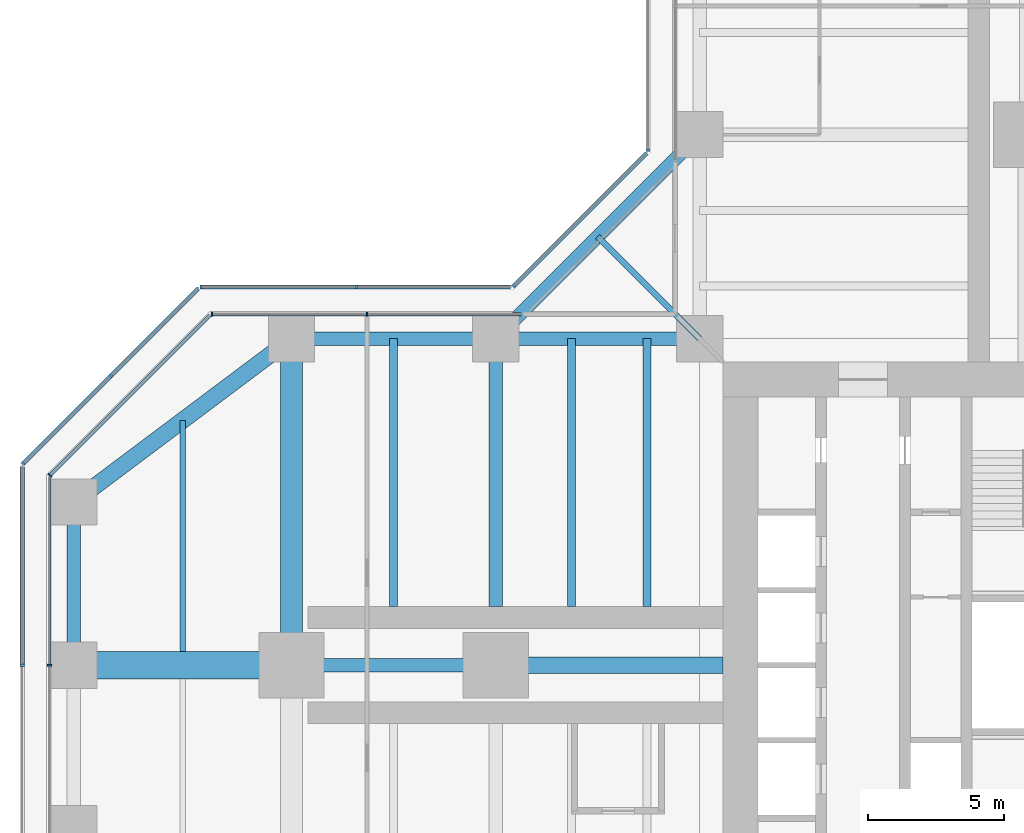
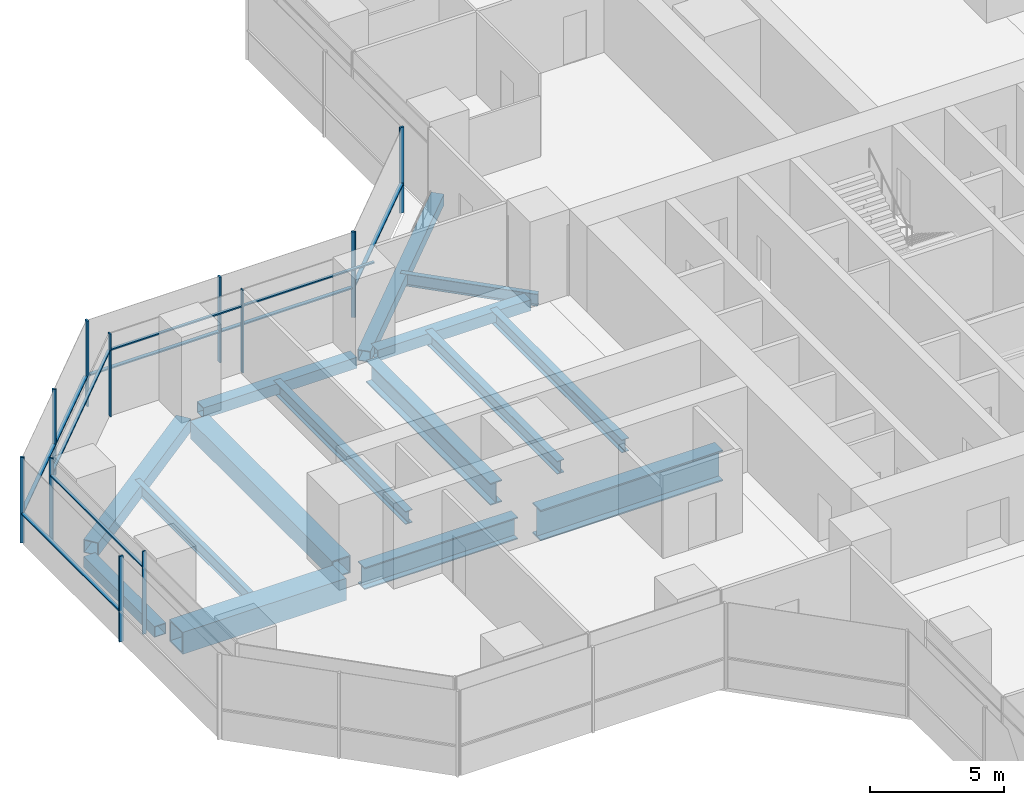
# One storey, part 8 of 22: 21 members, 15 beams, 8 elements without a shape of their own.
"""IFC4 building model written with IfcOpenShell, lengths in metres."""

from ifc_helpers import new_model, si_unit, direction, frame, origin, origin_2d, place, context, subcontext, project, spatial, rectangle, hollow_rectangle, i_section, extrude, material, material_profile, profile_set, type_object, element, aggregate, save


model = new_model("IFC4")

# Units and contexts
model_context = context("Model", 3, precision=1e-05, world=origin(), true_north=direction((0.0, 1.0)))
body_context = subcontext(model_context, "Body", "Model", "MODEL_VIEW")
ifc_project = project(units=[si_unit("LENGTHUNIT", "METRE"), si_unit("AREAUNIT", "SQUARE_METRE"), si_unit("VOLUMEUNIT", "CUBIC_METRE"), si_unit("PLANEANGLEUNIT", "RADIAN"), si_unit("MASSUNIT", "GRAM", prefix="KILO")], contexts=[model_context])

# Site, building, storey
site_placement = place(None, origin())
site = spatial("IfcSite", under=ifc_project, at=site_placement, CompositionType="ELEMENT")
building_placement = place(site_placement, origin())
building = spatial("IfcBuilding", under=site, at=building_placement, Name="Mizan Broadcast Tower", CompositionType="ELEMENT")
storey_placement = place(building_placement, frame((0.0, 0.0, 105.89990234375)))
storey = spatial("IfcBuildingStorey", under=building, at=storey_placement, Name="L23", CompositionType="ELEMENT", Elevation=105.89990234375)

# Beams
ifc_material_1 = material(Name="Steel S355", Category="steel")
ifc_material_profile_1 = material_profile(ifc_material_1, hollow_rectangle(XDim=0.5, YDim=0.5, WallThickness=0.030029296875, at=origin_2d()), Name="BOX 500x500x30")
ifc_profile_set_1 = profile_set([ifc_material_profile_1], Name="Steel S355")
beam_type_1 = type_object("IfcBeamType", Name="EDGE BEAM BOX 500x500x30", PredefinedType="SPANDREL", material=ifc_profile_set_1)
for number, where, z_axis, x_axis, name in (
    (1, (-12.449951171875, 12.0, -0.3798828125), (-1.0, 0.0, 0.0), (0.0, -1.0, 0.0), "Edge beam BOX 500x500x30 L23 west arm"),
    (2, (-19.949951171875, 12.0, -0.3798828125), (-1.0, 0.0, 0.0), (0.0, -1.0, 0.0), "Edge beam BOX 500x500x30 L23 west arm"),
):
    element("IfcBeam", number, at=place(storey_placement, frame(where, z_axis=z_axis, x_axis=x_axis)), inside=storey, type_object=beam_type_1, Name=name, PredefinedType="SPANDREL", context=body_context, shape_type="SweptSolid", body=[
        extrude(hollow_rectangle(XDim=0.5, YDim=0.5, WallThickness=0.030029296875, at=origin_2d()), origin(), (0.0, 0.0, 1.0), 6.60009765625),
    ])
beam_1_placement = place(storey_placement, frame((-35.0, 5.639892578125, -0.3798828125), z_axis=(0.0, -1.0, 0.0), x_axis=(1.0, 0.0, 0.0)))
element("IfcBeam", 3, at=beam_1_placement, inside=storey, type_object=beam_type_1, Name="Edge beam BOX 500x500x30 L23 west arm", PredefinedType="SPANDREL", context=body_context, shape_type="SweptSolid", body=[
    extrude(hollow_rectangle(XDim=0.5, YDim=0.5, WallThickness=0.030029296875, at=origin_2d()), origin(), (0.0, 0.0, 1.0), 5.27978515625),
])
beam_2_placement = place(storey_placement, frame((-12.0, 19.5, -0.3798828125), z_axis=(-0.707106781187, -0.707106781187, 0.0), x_axis=(0.707106781187, -0.707106781187, 0.0)))
element("IfcBeam", 4, at=beam_2_placement, inside=storey, type_object=beam_type_1, Name="Winter garden edge beam L23 N", PredefinedType="SPANDREL", context=body_context, shape_type="SweptSolid", body=[
    extrude(hollow_rectangle(XDim=0.5, YDim=0.5, WallThickness=0.030029296875, at=origin_2d()), origin(), (0.0, 0.0, 1.0), 10.606689453125),
])
ifc_material_2 = material(Name="Steel S355", Category="steel")
ifc_material_profile_2 = material_profile(ifc_material_2, hollow_rectangle(XDim=0.60009765625, YDim=0.60009765625, WallThickness=0.030029296875, at=origin_2d()), Name="BOX 600x600x30")
ifc_profile_set_2 = profile_set([ifc_material_profile_2], Name="Steel S355")
beam_type_2 = type_object("IfcBeamType", Name="EDGE BEAM BOX 600x600x30", PredefinedType="SPANDREL", material=ifc_profile_set_2)
beam_3_placement = place(storey_placement, frame((-27.47998046875, 11.639892578125, -0.429931640625), z_axis=(-0.800013316712, -0.599982243973, 0.0), x_axis=(0.599982243973, -0.800013316712, 0.0)))
element("IfcBeam", 5, at=beam_3_placement, inside=storey, type_object=beam_type_2, Name="Edge beam BOX 600x600x30 L23 west arm", PredefinedType="SPANDREL", context=body_context, shape_type="SweptSolid", body=[
    extrude(hollow_rectangle(XDim=0.60009765625, YDim=0.60009765625, WallThickness=0.030029296875, at=origin_2d()), origin(), (0.0, 0.0, 1.0), 8.7998046875),
])
ifc_material_3 = material(Name="Steel S460", Category="steel")
ifc_material_profile_3 = material_profile(ifc_material_3, hollow_rectangle(XDim=1.0, YDim=1.0, WallThickness=0.06005859375, at=origin_2d()), Name="BOX 1000x1000x60")
ifc_profile_set_3 = profile_set([ifc_material_profile_3], Name="Steel S460")
beam_type_3 = type_object("IfcBeamType", Name="GIRDER BOX 1000x1000x60", PredefinedType="BEAM", material=ifc_profile_set_3)
beam_4_placement = place(storey_placement, frame((-27.47998046875, 0.0, -0.6298828125), z_axis=(-1.0, 0.0, 0.0), x_axis=(0.0, -1.0, 0.0)))
element("IfcBeam", 6, at=beam_4_placement, inside=storey, type_object=beam_type_3, Name="Girder BOX 1000x1000x60 L23 west arm", PredefinedType="BEAM", context=body_context, shape_type="SweptSolid", body=[
    extrude(hollow_rectangle(XDim=1.0, YDim=1.0, WallThickness=0.06005859375, at=origin_2d()), origin(), (0.0, 0.0, 1.0), 7.0400390625),
])
ifc_material_4 = material(Name="Steel S460", Category="steel")
ifc_material_profile_4 = material_profile(ifc_material_4, hollow_rectangle(XDim=0.800048828125, YDim=0.800048828125, WallThickness=0.050048828125, at=origin_2d()), Name="BOX 800x800x50")
ifc_profile_set_4 = profile_set([ifc_material_profile_4], Name="Steel S460")
beam_type_4 = type_object("IfcBeamType", Name="GIRDER BOX 800x800x50", PredefinedType="BEAM", material=ifc_profile_set_4)
beam_5_placement = place(storey_placement, frame((-27.0, 11.280029296875, -0.52978515625), z_axis=(0.0, -1.0, 0.0), x_axis=(1.0, 0.0, 0.0)))
element("IfcBeam", 7, at=beam_5_placement, inside=storey, type_object=beam_type_4, Name="Girder BOX 800x800x50 L23 west arm", PredefinedType="BEAM", context=body_context, shape_type="SweptSolid", body=[
    extrude(hollow_rectangle(XDim=0.800048828125, YDim=0.800048828125, WallThickness=0.050048828125, at=origin_2d()), origin(), (0.0, 0.0, 1.0), 10.56005859375),
])
ifc_material_5 = material(Name="Steel S460", Category="steel")
ifc_material_profile_5 = material_profile(ifc_material_5, i_section(OverallWidth=0.5, OverallDepth=1.0, WebThickness=0.02490234375, FlangeThickness=0.050048828125, at=origin_2d()), Name="WPG 1000x500")
ifc_profile_set_5 = profile_set([ifc_material_profile_5], Name="Steel S460")
beam_type_5 = type_object("IfcBeamType", Name="GIRDER WPG 1000x500", PredefinedType="BEAM", material=ifc_profile_set_5)
beam_6_placement = place(storey_placement, frame((-19.949951171875, 0.0, -0.6298828125), z_axis=(-1.0, 0.0, 0.0), x_axis=(0.0, -1.0, 0.0)))
element("IfcBeam", 8, at=beam_6_placement, inside=storey, type_object=beam_type_5, Name="Girder WPG 1000x500 L23 west arm", PredefinedType="BEAM", context=body_context, shape_type="SweptSolid", body=[
    extrude(i_section(OverallWidth=0.5, OverallDepth=1.0, WebThickness=0.02490234375, FlangeThickness=0.050048828125, at=origin_2d()), origin(), (0.0, 0.0, 1.0), 6.60009765625),
])
beam_7_placement = place(storey_placement, frame((-19.5, 11.408935546875, -0.6298828125), z_axis=(0.0, -1.0, 0.0), x_axis=(1.0, 0.0, 0.0)))
element("IfcBeam", 9, at=beam_7_placement, inside=storey, type_object=beam_type_5, Name="Girder WPG 1000x500 L23 west arm", PredefinedType="BEAM", context=body_context, shape_type="SweptSolid", body=[
    extrude(i_section(OverallWidth=0.5, OverallDepth=1.0, WebThickness=0.02490234375, FlangeThickness=0.050048828125, at=origin_2d()), origin(), (0.0, 0.0, 1.0), 9.259033203125),
])
ifc_material_6 = material(Name="Steel S460", Category="steel")
ifc_material_profile_6 = material_profile(ifc_material_6, i_section(OverallWidth=0.60009765625, OverallDepth=1.39990234375, WebThickness=0.02490234375, FlangeThickness=0.06005859375, at=origin_2d()), Name="WPG 1400x600")
ifc_profile_set_6 = profile_set([ifc_material_profile_6], Name="Steel S460")
beam_type_6 = type_object("IfcBeamType", Name="GIRDER WPG 1400x600", PredefinedType="BEAM", material=ifc_profile_set_6)
beam_8_placement = place(storey_placement, frame((-11.14990234375, 0.0, -0.829833984375), z_axis=(-1.0, 0.0, 0.0), x_axis=(0.0, -1.0, 0.0)))
element("IfcBeam", 10, at=beam_8_placement, inside=storey, type_object=beam_type_6, Name="Girder WPG 1400x600 L23 west arm", PredefinedType="BEAM", context=body_context, shape_type="SweptSolid", body=[
    extrude(i_section(OverallWidth=0.60009765625, OverallDepth=1.39990234375, WebThickness=0.02490234375, FlangeThickness=0.06005859375, at=origin_2d()), origin(), (0.0, 0.0, 1.0), 7.84912109375),
])

# Curtain wall, members
ifc_material_7 = material(Name="Aluminium framed glazing", Category="aluminium")
curtain_wall_type_1 = type_object("IfcCurtainWallType", Name="INNER SKIN LOW ZONE", PredefinedType="USERDEFINED", material=ifc_material_7)
curtain_wall_1_placement = place(storey_placement, origin())
curtain_wall_1 = element("IfcCurtainWall", 11, at=curtain_wall_1_placement, inside=storey, type_object=curtain_wall_type_1, Name="Inner skin low zone L23 W side", ObjectType="INNER SKIN LOW ZONE", PredefinedType="USERDEFINED")
ifc_material_8 = material(Name="Aluminium, pale anodised", Category="aluminium")
ifc_material_profile_7 = material_profile(ifc_material_8, rectangle(XDim=0.159912109375, YDim=0.06005859375, at=origin_2d()), Name="MULLION 160x60")
ifc_profile_set_7 = profile_set([ifc_material_profile_7], Name="Aluminium, pale anodised")
member_type_1 = type_object("IfcMemberType", Name="INNER SKIN MULLION 60x160", PredefinedType="MULLION", material=ifc_profile_set_7)
member_1_placement = place(storey_placement, frame((-24.229248046875, 12.89990234375, 0.0), z_axis=(0.0, 0.0, 1.0), x_axis=(0.0, -1.0, 0.0)))
member_1 = element("IfcMember", 12, at=member_1_placement, type_object=member_type_1, Name="Inner skin low zone L23 W side mullion 2", PredefinedType="MULLION", context=body_context, shape_type="SweptSolid", body=[
    extrude(rectangle(XDim=0.159912109375, YDim=0.06005859375, at=origin_2d()), origin(), (0.0, 0.0, 1.0), 3.77001953125),
])
member_2_placement = place(storey_placement, frame((-29.928466796875, 12.89990234375, 0.0), z_axis=(0.0, 0.0, 1.0), x_axis=(0.0, -1.0, 0.0)))
member_2 = element("IfcMember", 13, at=member_2_placement, type_object=member_type_1, Name="Inner skin low zone L23 W side mullion 3", PredefinedType="MULLION", context=body_context, shape_type="SweptSolid", body=[
    extrude(rectangle(XDim=0.159912109375, YDim=0.06005859375, at=origin_2d()), origin(), (0.0, 0.0, 1.0), 3.77001953125),
])

# Curtain wall, member
curtain_wall_2_placement = place(storey_placement, origin())
curtain_wall_2 = element("IfcCurtainWall", 14, at=curtain_wall_2_placement, inside=storey, type_object=curtain_wall_type_1, Name="Inner skin low zone L23 W chamfer", ObjectType="INNER SKIN LOW ZONE", PredefinedType="USERDEFINED")
member_3_placement = place(storey_placement, frame((-35.87890625, 6.979736328125, 0.0), z_axis=(0.0, 0.0, 1.0), x_axis=(0.707106781187, -0.707106781187, 0.0)))
member_3 = element("IfcMember", 15, at=member_3_placement, type_object=member_type_1, Name="Inner skin low zone L23 W chamfer mullion 2", PredefinedType="MULLION", context=body_context, shape_type="SweptSolid", body=[
    extrude(rectangle(XDim=0.159912109375, YDim=0.06005859375, at=origin_2d()), origin(), (0.0, 0.0, 1.0), 3.77001953125),
])

curtain_wall_3_placement = place(storey_placement, origin())
curtain_wall_3 = element("IfcCurtainWall", 16, at=curtain_wall_3_placement, inside=storey, type_object=curtain_wall_type_1, Name="Inner skin low zone L23 W end", ObjectType="INNER SKIN LOW ZONE", PredefinedType="USERDEFINED")
member_4_placement = place(storey_placement, frame((-35.89990234375, 0.0, 0.0), z_axis=(0.0, 0.0, 1.0), x_axis=(1.0, 0.0, 0.0)))
member_4 = element("IfcMember", 17, at=member_4_placement, type_object=member_type_1, Name="Inner skin low zone L23 W end mullion 2", PredefinedType="MULLION", context=body_context, shape_type="SweptSolid", body=[
    extrude(rectangle(XDim=0.159912109375, YDim=0.06005859375, at=origin_2d()), origin(), (0.0, 0.0, 1.0), 3.77001953125),
])

# Member
ifc_material_9 = material(Name="Aluminium, pale anodised", Category="aluminium")
ifc_material_profile_8 = material_profile(ifc_material_9, rectangle(XDim=0.1201171875, YDim=0.06005859375, at=origin_2d()), Name="TRANSOM 120x60")
ifc_profile_set_8 = profile_set([ifc_material_profile_8], Name="Aluminium, pale anodised")
member_type_2 = type_object("IfcMemberType", Name="INNER SKIN TRANSOM 60x120", PredefinedType="USERDEFINED", material=ifc_profile_set_8)
member_5_placement = place(storey_placement, frame((-18.56005859375, 12.89990234375, 3.030029296875), z_axis=(-1.0, 0.0, 0.0), x_axis=(0.0, -1.0, 0.0)))
member_5 = element("IfcMember", 18, at=member_5_placement, type_object=member_type_2, Name="Inner skin low zone L23 W side transom 1.1", ObjectType="TRANSOM", PredefinedType="USERDEFINED", context=body_context, shape_type="SweptSolid", body=[
    extrude(rectangle(XDim=0.1201171875, YDim=0.06005859375, at=origin_2d()), origin(), (0.0, 0.0, 1.0), 5.63916015625),
])

member_6_placement = place(storey_placement, frame((-24.25927734375, 12.89990234375, 3.030029296875), z_axis=(-1.0, 0.0, 0.0), x_axis=(0.0, -1.0, 0.0)))
member_6 = element("IfcMember", 19, at=member_6_placement, type_object=member_type_2, Name="Inner skin low zone L23 W side transom 2.1", ObjectType="TRANSOM", PredefinedType="USERDEFINED", context=body_context, shape_type="SweptSolid", body=[
    extrude(rectangle(XDim=0.1201171875, YDim=0.06005859375, at=origin_2d()), origin(), (0.0, 0.0, 1.0), 5.639404296875),
])

aggregate(curtain_wall_1, [member_1, member_2, member_5, member_6])

member_7_placement = place(storey_placement, frame((-30.0009765625, 12.857666015625, 3.030029296875), z_axis=(-0.707106781187, -0.707106781187, 0.0), x_axis=(0.707106781187, -0.707106781187, 0.0)))
member_7 = element("IfcMember", 20, at=member_7_placement, type_object=member_type_2, Name="Inner skin low zone L23 W chamfer transom 1.1", ObjectType="TRANSOM", PredefinedType="USERDEFINED", context=body_context, shape_type="SweptSolid", body=[
    extrude(rectangle(XDim=0.1201171875, YDim=0.06005859375, at=origin_2d()), origin(), (0.0, 0.0, 1.0), 8.28271484375),
])

aggregate(curtain_wall_2, [member_3, member_7])

member_8_placement = place(storey_placement, frame((-35.89990234375, 6.898681640625, 3.030029296875), z_axis=(0.0, -1.0, 0.0), x_axis=(1.0, 0.0, 0.0)))
member_8 = element("IfcMember", 21, at=member_8_placement, type_object=member_type_2, Name="Inner skin low zone L23 W end transom 1.1", ObjectType="TRANSOM", PredefinedType="USERDEFINED", context=body_context, shape_type="SweptSolid", body=[
    extrude(rectangle(XDim=0.1201171875, YDim=0.06005859375, at=origin_2d()), origin(), (0.0, 0.0, 1.0), 6.86865234375),
])

aggregate(curtain_wall_3, [member_4, member_8])

# Curtain wall, member
ifc_material_10 = material(Name="Aluminium framed glazing", Category="aluminium")
curtain_wall_type_2 = type_object("IfcCurtainWallType", Name="OUTER SKIN", PredefinedType="USERDEFINED", material=ifc_material_10)
curtain_wall_4_placement = place(storey_placement, origin())
curtain_wall_4 = element("IfcCurtainWall", 22, at=curtain_wall_4_placement, inside=storey, type_object=curtain_wall_type_2, Name="Outer skin L23 N side", ObjectType="OUTER SKIN", PredefinedType="USERDEFINED")
ifc_material_11 = material(Name="Aluminium, pale anodised", Category="aluminium")
ifc_material_profile_9 = material_profile(ifc_material_11, rectangle(XDim=0.159912109375, YDim=0.080078125, at=origin_2d()), Name="MULLION 160x80")
ifc_profile_set_9 = profile_set([ifc_material_profile_9], Name="Aluminium, pale anodised")
member_type_3 = type_object("IfcMemberType", Name="OUTER SKIN MULLION 80x160", PredefinedType="MULLION", material=ifc_profile_set_9)
member_9_placement = place(storey_placement, frame((-13.89990234375, 18.912841796875, 0.0), z_axis=(0.0, 0.0, 1.0), x_axis=(1.0, 0.0, 0.0)))
member_9 = element("IfcMember", 23, at=member_9_placement, type_object=member_type_3, Name="Outer skin L23 N side mullion 3", PredefinedType="MULLION", context=body_context, shape_type="SweptSolid", body=[
    extrude(rectangle(XDim=0.159912109375, YDim=0.080078125, at=origin_2d()), origin(), (0.0, 0.0, 1.0), 3.900146484375),
])
aggregate(curtain_wall_4, [member_9])

curtain_wall_5_placement = place(storey_placement, origin())
curtain_wall_5 = element("IfcCurtainWall", 24, at=curtain_wall_5_placement, inside=storey, type_object=curtain_wall_type_2, Name="Outer skin L23 W chamfer", ObjectType="OUTER SKIN", PredefinedType="USERDEFINED")
member_10_placement = place(storey_placement, frame((-18.844482421875, 13.92822265625, 0.0), z_axis=(0.0, 0.0, 1.0), x_axis=(0.707106781187, -0.707106781187, 0.0)))
member_10 = element("IfcMember", 25, at=member_10_placement, type_object=member_type_3, Name="Outer skin L23 W chamfer mullion 2", PredefinedType="MULLION", context=body_context, shape_type="SweptSolid", body=[
    extrude(rectangle(XDim=0.159912109375, YDim=0.080078125, at=origin_2d()), origin(), (0.0, 0.0, 1.0), 3.900146484375),
])

# Curtain wall, members
curtain_wall_6_placement = place(storey_placement, origin())
curtain_wall_6 = element("IfcCurtainWall", 26, at=curtain_wall_6_placement, inside=storey, type_object=curtain_wall_type_2, Name="Outer skin L23 W side", ObjectType="OUTER SKIN", PredefinedType="USERDEFINED")
member_11_placement = place(storey_placement, frame((-24.622802734375, 13.89990234375, 0.0), z_axis=(0.0, 0.0, 1.0), x_axis=(0.0, -1.0, 0.0)))
member_11 = element("IfcMember", 27, at=member_11_placement, type_object=member_type_3, Name="Outer skin L23 W side mullion 2", PredefinedType="MULLION", context=body_context, shape_type="SweptSolid", body=[
    extrude(rectangle(XDim=0.159912109375, YDim=0.080078125, at=origin_2d()), origin(), (0.0, 0.0, 1.0), 3.900146484375),
])
member_12_placement = place(storey_placement, frame((-30.332763671875, 13.89990234375, 0.0), z_axis=(0.0, 0.0, 1.0), x_axis=(0.0, -1.0, 0.0)))
member_12 = element("IfcMember", 28, at=member_12_placement, type_object=member_type_3, Name="Outer skin L23 W side mullion 3", PredefinedType="MULLION", context=body_context, shape_type="SweptSolid", body=[
    extrude(rectangle(XDim=0.159912109375, YDim=0.080078125, at=origin_2d()), origin(), (0.0, 0.0, 1.0), 3.900146484375),
])

curtain_wall_7_placement = place(storey_placement, origin())
curtain_wall_7 = element("IfcCurtainWall", 29, at=curtain_wall_7_placement, inside=storey, type_object=curtain_wall_type_2, Name="Outer skin L23 W chamfer", ObjectType="OUTER SKIN", PredefinedType="USERDEFINED")
member_13_placement = place(storey_placement, frame((-33.636474609375, 10.636474609375, 0.0), z_axis=(0.0, 0.0, 1.0), x_axis=(0.707106781187, -0.707106781187, 0.0)))
member_13 = element("IfcMember", 30, at=member_13_placement, type_object=member_type_3, Name="Outer skin L23 W chamfer mullion 2", PredefinedType="MULLION", context=body_context, shape_type="SweptSolid", body=[
    extrude(rectangle(XDim=0.159912109375, YDim=0.080078125, at=origin_2d()), origin(), (0.0, 0.0, 1.0), 3.900146484375),
])
member_14_placement = place(storey_placement, frame((-36.871826171875, 7.401123046875, 0.0), z_axis=(0.0, 0.0, 1.0), x_axis=(0.707106781187, -0.707106781187, 0.0)))
member_14 = element("IfcMember", 31, at=member_14_placement, type_object=member_type_3, Name="Outer skin L23 W chamfer mullion 3", PredefinedType="MULLION", context=body_context, shape_type="SweptSolid", body=[
    extrude(rectangle(XDim=0.159912109375, YDim=0.080078125, at=origin_2d()), origin(), (0.0, 0.0, 1.0), 3.900146484375),
])

# Curtain wall, member
curtain_wall_8_placement = place(storey_placement, origin())
curtain_wall_8 = element("IfcCurtainWall", 32, at=curtain_wall_8_placement, inside=storey, type_object=curtain_wall_type_2, Name="Outer skin L23 W end", ObjectType="OUTER SKIN", PredefinedType="USERDEFINED")
member_15_placement = place(storey_placement, frame((-36.89990234375, 0.0, 0.0), z_axis=(0.0, 0.0, 1.0), x_axis=(1.0, 0.0, 0.0)))
member_15 = element("IfcMember", 33, at=member_15_placement, type_object=member_type_3, Name="Outer skin L23 W end mullion 2", PredefinedType="MULLION", context=body_context, shape_type="SweptSolid", body=[
    extrude(rectangle(XDim=0.159912109375, YDim=0.080078125, at=origin_2d()), origin(), (0.0, 0.0, 1.0), 3.900146484375),
])

# Member
ifc_material_12 = material(Name="Aluminium, pale anodised", Category="aluminium")
ifc_material_profile_10 = material_profile(ifc_material_12, rectangle(XDim=0.159912109375, YDim=0.06005859375, at=origin_2d()), Name="TRANSOM 160x60")
ifc_profile_set_10 = profile_set([ifc_material_profile_10], Name="Aluminium, pale anodised")
member_type_4 = type_object("IfcMemberType", Name="OUTER SKIN TRANSOM 60x160", PredefinedType="USERDEFINED", material=ifc_profile_set_10)
member_16_placement = place(storey_placement, frame((-13.95654296875, 18.816162109375, 1.400146484375), z_axis=(-0.707106781187, -0.707106781187, 0.0), x_axis=(0.707106781187, -0.707106781187, 0.0)))
member_16 = element("IfcMember", 34, at=member_16_placement, type_object=member_type_4, Name="Outer skin L23 W chamfer transom 1.1", ObjectType="TRANSOM", PredefinedType="USERDEFINED", context=body_context, shape_type="SweptSolid", body=[
    extrude(rectangle(XDim=0.159912109375, YDim=0.06005859375, at=origin_2d()), origin(), (0.0, 0.0, 1.0), 6.87255859375),
])

aggregate(curtain_wall_5, [member_10, member_16])

member_17_placement = place(storey_placement, frame((-18.952880859375, 13.89990234375, 1.400146484375), z_axis=(-1.0, 0.0, 0.0), x_axis=(0.0, -1.0, 0.0)))
member_17 = element("IfcMember", 35, at=member_17_placement, type_object=member_type_4, Name="Outer skin L23 W side transom 1.1", ObjectType="TRANSOM", PredefinedType="USERDEFINED", context=body_context, shape_type="SweptSolid", body=[
    extrude(rectangle(XDim=0.159912109375, YDim=0.06005859375, at=origin_2d()), origin(), (0.0, 0.0, 1.0), 5.6298828125),
])

member_18_placement = place(storey_placement, frame((-24.662841796875, 13.89990234375, 1.400146484375), z_axis=(-1.0, 0.0, 0.0), x_axis=(0.0, -1.0, 0.0)))
member_18 = element("IfcMember", 36, at=member_18_placement, type_object=member_type_4, Name="Outer skin L23 W side transom 2.1", ObjectType="TRANSOM", PredefinedType="USERDEFINED", context=body_context, shape_type="SweptSolid", body=[
    extrude(rectangle(XDim=0.159912109375, YDim=0.06005859375, at=origin_2d()), origin(), (0.0, 0.0, 1.0), 5.6298828125),
])

aggregate(curtain_wall_6, [member_11, member_12, member_17, member_18])

member_19_placement = place(storey_placement, frame((-30.429443359375, 13.843505859375, 1.400146484375), z_axis=(-0.707106781187, -0.707106781187, 0.0), x_axis=(0.707106781187, -0.707106781187, 0.0)))
member_19 = element("IfcMember", 37, at=member_19_placement, type_object=member_type_4, Name="Outer skin L23 W chamfer transom 1.1", ObjectType="TRANSOM", PredefinedType="USERDEFINED", context=body_context, shape_type="SweptSolid", body=[
    extrude(rectangle(XDim=0.159912109375, YDim=0.06005859375, at=origin_2d()), origin(), (0.0, 0.0, 1.0), 4.495361328125),
])

member_20_placement = place(storey_placement, frame((-33.664794921875, 10.608154296875, 1.400146484375), z_axis=(-0.707106781187, -0.707106781187, 0.0), x_axis=(0.707106781187, -0.707106781187, 0.0)))
member_20 = element("IfcMember", 38, at=member_20_placement, type_object=member_type_4, Name="Outer skin L23 W chamfer transom 2.1", ObjectType="TRANSOM", PredefinedType="USERDEFINED", context=body_context, shape_type="SweptSolid", body=[
    extrude(rectangle(XDim=0.159912109375, YDim=0.06005859375, at=origin_2d()), origin(), (0.0, 0.0, 1.0), 4.495361328125),
])

aggregate(curtain_wall_7, [member_13, member_14, member_19, member_20])

member_21_placement = place(storey_placement, frame((-36.89990234375, 7.292724609375, 1.400146484375), z_axis=(0.0, -1.0, 0.0), x_axis=(1.0, 0.0, 0.0)))
member_21 = element("IfcMember", 39, at=member_21_placement, type_object=member_type_4, Name="Outer skin L23 W end transom 1.1", ObjectType="TRANSOM", PredefinedType="USERDEFINED", context=body_context, shape_type="SweptSolid", body=[
    extrude(rectangle(XDim=0.159912109375, YDim=0.06005859375, at=origin_2d()), origin(), (0.0, 0.0, 1.0), 7.252685546875),
])

aggregate(curtain_wall_8, [member_15, member_21])

# Beams
ifc_material_13 = material(Name="Steel S355", Category="steel")
ifc_material_profile_11 = material_profile(ifc_material_13, i_section(OverallWidth=0.300048828125, OverallDepth=0.590087890625, WebThickness=0.012939453125, FlangeThickness=0.02490234375, FilletRadius=0.027099609375, at=origin_2d()), Name="HEA 600")
ifc_profile_set_11 = profile_set([ifc_material_profile_11], Name="Steel S355")
beam_type_7 = type_object("IfcBeamType", Name="SECONDARY BEAM HEA 600", PredefinedType="JOIST", material=ifc_profile_set_11)
for number, where, z_axis, x_axis, name in (
    (40, (-13.933349609375, 12.0, -0.4248046875), (0.0, -1.0, 0.0), (1.0, 0.0, 0.0), "Secondary beam HEA 600 L23 west arm"),
    (41, (-16.716552734375, 12.0, -0.4248046875), (0.0, -1.0, 0.0), (1.0, 0.0, 0.0), "Secondary beam HEA 600 L23 west arm"),
    (42, (-23.25, 12.0, -0.4248046875), (0.0, -1.0, 0.0), (1.0, 0.0, 0.0), "Secondary beam HEA 600 L23 west arm"),
):
    element("IfcBeam", number, at=place(storey_placement, frame(where, z_axis=z_axis, x_axis=x_axis)), inside=storey, type_object=beam_type_7, Name=name, PredefinedType="JOIST", context=body_context, shape_type="SweptSolid", body=[
        extrude(i_section(OverallWidth=0.300048828125, OverallDepth=0.590087890625, WebThickness=0.012939453125, FlangeThickness=0.02490234375, FilletRadius=0.027099609375, at=origin_2d()), origin(), (0.0, 0.0, 1.0), 9.85009765625),
    ])
ifc_material_14 = material(Name="Steel S355", Category="steel")
ifc_material_profile_12 = material_profile(ifc_material_14, i_section(OverallWidth=0.2099609375, OverallDepth=0.550048828125, WebThickness=0.010986328125, FlangeThickness=0.01708984375, FilletRadius=0.02392578125, at=origin_2d()), Name="IPE 550")
ifc_profile_set_12 = profile_set([ifc_material_profile_12], Name="Steel S355")
beam_type_8 = type_object("IfcBeamType", Name="SECONDARY BEAM IPE 550", PredefinedType="JOIST", material=ifc_profile_set_12)
beam_9_placement = place(storey_placement, frame((-31.0, 9.0, -0.40478515625), z_axis=(0.0, -1.0, 0.0), x_axis=(1.0, 0.0, 0.0)))
element("IfcBeam", 43, at=beam_9_placement, inside=storey, type_object=beam_type_8, Name="Secondary beam IPE 550 L23 west arm", PredefinedType="JOIST", context=body_context, shape_type="SweptSolid", body=[
    extrude(i_section(OverallWidth=0.2099609375, OverallDepth=0.550048828125, WebThickness=0.010986328125, FlangeThickness=0.01708984375, FilletRadius=0.02392578125, at=origin_2d()), origin(), (0.0, 0.0, 1.0), 8.5),
])
beam_10_placement = place(storey_placement, frame((-12.0, 12.0, -0.40478515625), z_axis=(-0.707106781187, 0.707106781187, 0.0), x_axis=(-0.707106781187, -0.707106781187, 0.0)))
element("IfcBeam", 44, at=beam_10_placement, inside=storey, type_object=beam_type_8, Name="Winter garden beam L23 N", PredefinedType="JOIST", context=body_context, shape_type="SweptSolid", body=[
    extrude(i_section(OverallWidth=0.2099609375, OverallDepth=0.550048828125, WebThickness=0.010986328125, FlangeThickness=0.01708984375, FilletRadius=0.02392578125, at=origin_2d()), origin(), (0.0, 0.0, 1.0), 5.30322265625),
])

save(model, "model.ifc")
